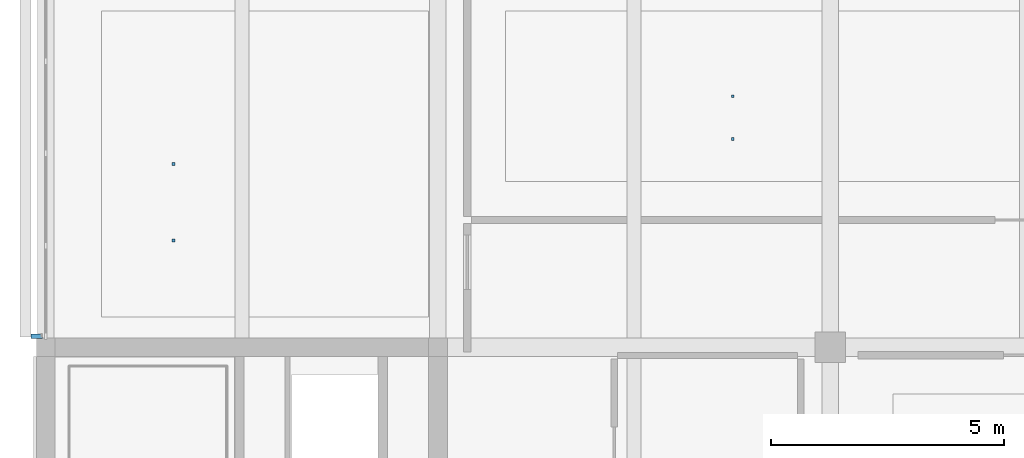
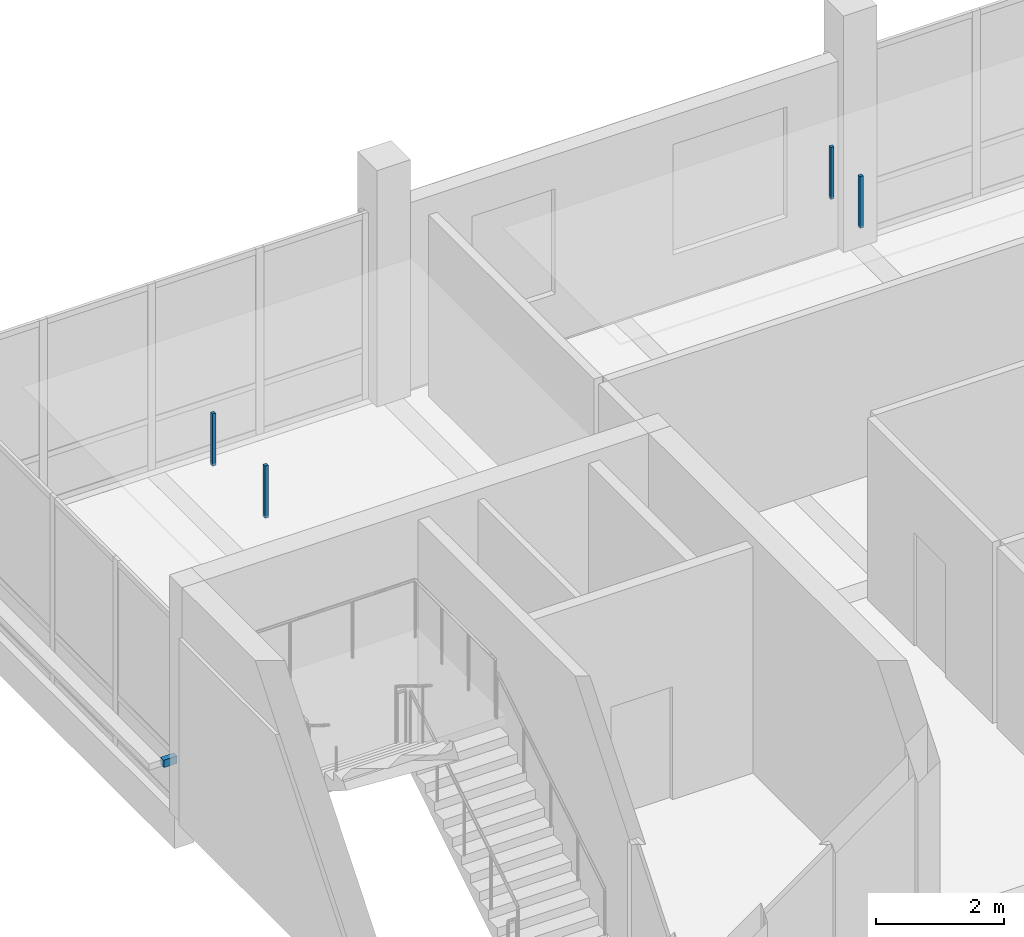
# One storey, part 16 of 29: 5 discrete accessories.
"""IFC4 building model written with IfcOpenShell, lengths in metres."""

import ifcopenshell
import ifcopenshell.guid

model = None  # the IFC model being written
_history = None  # IfcOwnerHistory: only IFC2X3 demands one
_inside = {}  # id of a spatial element -> (the spatial element, [elements in it])
_under = {}  # id of a project, library or spatial element -> (it, [spatial elements below it])
_declared = {}  # id of a project -> (the project, [libraries it declares])
_typed = {}  # id of a type object -> (the type object, [elements of that type])
_made_of = {}  # id of a material, layer set ... -> (it, [elements and type objects made of it])


def new_model(schema):
    """Start an empty IFC model of exactly this schema.

    Asked for "IFC4X3", IfcOpenShell would pick the latest addendum, in which some entities
    have other attributes; the version numbers below select the first issue.
    IFC2X3 requires an IfcOwnerHistory on every rooted entity: one is made here for all.
    """
    global model, _history
    if schema == "IFC4X3":
        model = ifcopenshell.file(schema_version=(4, 3, 0, 0))
    else:
        model = ifcopenshell.file(schema=schema)
    _inside.clear()
    _under.clear()
    _declared.clear()
    _typed.clear()
    _made_of.clear()
    _history = None
    if model.schema == "IFC2X3":
        org = make("IfcOrganization", Name="unknown")
        user = make(
            "IfcPersonAndOrganization",
            ThePerson=make("IfcPerson", FamilyName="unknown"),
            TheOrganization=org,
        )
        app = make(
            "IfcApplication",
            ApplicationDeveloper=org,
            Version="unknown",
            ApplicationFullName="unknown",
            ApplicationIdentifier="unknown",
        )
        _history = make(
            "IfcOwnerHistory",
            OwningUser=user,
            OwningApplication=app,
            ChangeAction="ADDED",
            CreationDate=0,
        )
    return model


def make(cls, **values):
    """One entity of the class cls with the attributes given. An attribute that is None is left unset."""
    return model.create_entity(
        cls, **{name: value for name, value in values.items() if value is not None}
    )


def rooted(cls, **values):
    """An entity with a GlobalId (a new one), such as an element, a storey or a relation."""
    return make(cls, GlobalId=ifcopenshell.guid.new(), OwnerHistory=_history, **values)


def si_unit(unit_type, name, prefix=None):
    """IfcSIUnit, for example si_unit("LENGTHUNIT", "METRE", prefix="MILLI")."""
    return make("IfcSIUnit", UnitType=unit_type, Prefix=prefix, Name=name)


def assignment(units):
    """IfcUnitAssignment: the units of a project."""
    return None if units is None else make("IfcUnitAssignment", Units=units)


def point(xyz):
    """IfcCartesianPoint."""
    return None if xyz is None else make("IfcCartesianPoint", Coordinates=xyz)


def direction(xyz):
    """IfcDirection."""
    return None if xyz is None else make("IfcDirection", DirectionRatios=xyz)


def frame(location, z_axis=None, x_axis=None):
    """IfcAxis2Placement3D, a coordinate frame: its origin and axes. An axis left out is left unset."""
    return make(
        "IfcAxis2Placement3D",
        Location=point(location),
        Axis=direction(z_axis),
        RefDirection=direction(x_axis),
    )


def frame_2d(location, x_axis=None):
    """IfcAxis2Placement2D, a coordinate frame in the plane: its origin and x axis."""
    return make(
        "IfcAxis2Placement2D", Location=point(location), RefDirection=direction(x_axis)
    )


def origin():
    """The frame at (0, 0, 0) with its axes left unset."""
    return frame((0.0, 0.0, 0.0))


def origin_2d():
    """The frame at (0, 0) in the plane with its x axis left unset."""
    return frame_2d((0.0, 0.0))


def place(relative_to, where):
    """IfcLocalPlacement: puts the frame where relative to a parent placement (None: the world)."""
    return make(
        "IfcLocalPlacement", PlacementRelTo=relative_to, RelativePlacement=where
    )


def context(
    kind, dimensions, precision=None, world=None, true_north=None, identifier=None
):
    """IfcGeometricRepresentationContext, for example the 3D "Model" context."""
    return make(
        "IfcGeometricRepresentationContext",
        ContextIdentifier=identifier,
        ContextType=kind,
        CoordinateSpaceDimension=dimensions,
        Precision=precision,
        WorldCoordinateSystem=world,
        TrueNorth=true_north,
    )


def subcontext(parent, identifier, kind, view, scale=None):
    """IfcGeometricRepresentationSubContext, for example "Body" below "Model"."""
    return make(
        "IfcGeometricRepresentationSubContext",
        ContextIdentifier=identifier,
        ContextType=kind,
        ParentContext=parent,
        TargetScale=scale,
        TargetView=view,
    )


def project(units=None, contexts=None):
    """IfcProject with its units and contexts."""
    return rooted(
        "IfcProject",
        Name="project",
        RepresentationContexts=contexts,
        UnitsInContext=assignment(units),
    )


def spatial(cls, under=None, at=None, **own):
    """A site, building, storey or space (cls), placed at a placement, below another one or the project."""
    s = rooted(cls, ObjectPlacement=at, **own)
    if under is not None:
        _under.setdefault(under.id(), (under, []))[1].append(s)
    return s


def profile(cls, at=None, kind="AREA", **sizes):
    """A parametric profile (cls). Its sizes go by their IFC names, for example OverallWidth=200.0."""
    return make(cls, ProfileType=kind, Position=at, **sizes)


def rectangle(**sizes):
    """IfcRectangleProfileDef."""
    return profile("IfcRectangleProfileDef", **sizes)


def extrude(swept, where, along, depth):
    """IfcExtrudedAreaSolid: the profile swept, set in the frame where, extruded along a direction by depth."""
    return make(
        "IfcExtrudedAreaSolid",
        SweptArea=swept,
        Position=where,
        ExtrudedDirection=direction(along),
        Depth=depth,
    )


def shape(context_of_items, identifier, shape_type, items):
    """IfcShapeRepresentation: the items that make up one representation, for example the "Body"."""
    return make(
        "IfcShapeRepresentation",
        ContextOfItems=context_of_items,
        RepresentationIdentifier=identifier,
        RepresentationType=shape_type,
        Items=items,
    )


def material(Name=None, Category=None):
    """IfcMaterial."""
    return make("IfcMaterial", Name=Name, Category=Category)


def made_of(thing, what):
    """Note that an element or type object is made of a material, layer set ...; save() writes the relation."""
    if what is not None:
        _made_of.setdefault(what.id(), (what, []))[1].append(thing)
    return thing


def type_object(cls, material=None, **own):
    """A type object (cls), such as IfcWallType, which elements share."""
    return made_of(rooted(cls, **own), material)


def element(
    cls,
    number,
    at=None,
    inside=None,
    cuts=None,
    type_object=None,
    material=None,
    context=None,
    identifier="Body",
    shape_type=None,
    held_by="IfcProductDefinitionShape",
    body=None,
    shapes=None,
    **own,
):
    """One element of the class cls, such as IfcWall. Its Tag is "e" and its number.

    at: its placement. inside: the storey or other place that contains it. cuts: it is an
    opening in that element (IfcRelVoidsElement). A single representation is given by context,
    identifier, shape_type and body (its items); several are given by shapes. held_by: the class
    of the entity that holds the representations. save() writes the other relations.
    """
    e = rooted(cls, Tag="e%d" % number, ObjectPlacement=at, **own)
    if body is not None:
        shapes = [shape(context, identifier, shape_type, body)]
    if shapes is not None:
        e.Representation = make(held_by, Representations=shapes)
    if inside is not None:
        _inside.setdefault(inside.id(), (inside, []))[1].append(e)
    if cuts is not None:
        rooted(
            "IfcRelVoidsElement", RelatingBuildingElement=cuts, RelatedOpeningElement=e
        )
    if type_object is not None:
        _typed.setdefault(type_object.id(), (type_object, []))[1].append(e)
    return made_of(e, material)


def aggregate(whole, parts):
    """IfcRelAggregates: a whole, such as a stair, and the parts it consists of."""
    return rooted("IfcRelAggregates", RelatingObject=whole, RelatedObjects=parts)


def save(model, path):
    """Write the relations noted so far, then the file.

    IfcRelAggregates (storeys below a building ...), IfcRelContainedInSpatialStructure (elements
    in a storey), IfcRelDefinesByType, IfcRelAssociatesMaterial and IfcRelDeclares: one each for
    every whole, place, type object, material and project.
    """
    for whole, parts in _under.values():
        aggregate(whole, parts)
    for where, things in _inside.values():
        rooted(
            "IfcRelContainedInSpatialStructure",
            RelatedElements=things,
            RelatingStructure=where,
        )
    for kind, things in _typed.values():
        rooted("IfcRelDefinesByType", RelatedObjects=things, RelatingType=kind)
    for what, things in _made_of.values():
        rooted("IfcRelAssociatesMaterial", RelatedObjects=things, RelatingMaterial=what)
    for by, libraries in _declared.values():
        rooted("IfcRelDeclares", RelatingContext=by, RelatedDefinitions=libraries)
    model.write(path)


model = new_model("IFC4")

# Units and contexts
model_context = context("Model", 3, precision=1e-05, world=origin(), true_north=direction((0.0, 1.0)))
body_context = subcontext(model_context, "Body", "Model", "MODEL_VIEW")
ifc_project = project(units=[si_unit("LENGTHUNIT", "METRE"), si_unit("AREAUNIT", "SQUARE_METRE"), si_unit("VOLUMEUNIT", "CUBIC_METRE"), si_unit("PLANEANGLEUNIT", "RADIAN"), si_unit("MASSUNIT", "GRAM", prefix="KILO")], contexts=[model_context])

# Site, building, storey
site_placement = place(None, origin())
site = spatial("IfcSite", under=ifc_project, at=site_placement, CompositionType="ELEMENT")
building_placement = place(site_placement, origin())
building = spatial("IfcBuilding", under=site, at=building_placement, Name="Telukmera Botanical Conservatory", CompositionType="ELEMENT")
storey_placement = place(building_placement, frame((0.0, 0.0, 55.5)))
storey = spatial("IfcBuildingStorey", under=building, at=storey_placement, Name="L12", CompositionType="ELEMENT", Elevation=55.5)

# Discrete accessories
ifc_material = material(Name="Steel S355", Category="steel")
discrete_accessory_type_1 = type_object("IfcDiscreteAccessoryType", Name="ACC-CEIL-HGR", PredefinedType="BRACKET", material=ifc_material)
for number, where, z_axis, x_axis, name in (
    (1, (61.5400390625, 36.6875, 3.31005859375), (0.0, 0.0, 1.0), (1.0, 0.0, 0.0), "L12 Suspended Ceiling Hanger Rod 030-1"),
    (2, (61.5400390625, 38.324951171875, 3.31005859375), (0.0, 0.0, 1.0), (1.0, 0.0, 0.0), "L12 Suspended Ceiling Hanger Rod 030-2"),
):
    element("IfcDiscreteAccessory", number, at=place(storey_placement, frame(where, z_axis=z_axis, x_axis=x_axis)), inside=storey, type_object=discrete_accessory_type_1, Name=name, PredefinedType="BRACKET", context=body_context, shape_type="SweptSolid", body=[
        extrude(rectangle(XDim=0.06005859375, YDim=0.06005859375, at=origin_2d()), origin(), (0.0, 0.0, 1.0), 0.9951171875),
    ])
for number, where, z_axis, x_axis, name in (
    (3, (73.511962890625, 38.862548828125, 3.31982421875), (0.0, 0.0, 1.0), (1.0, 0.0, 0.0), "L12 Suspended Ceiling Hanger Rod 031-1"),
    (4, (73.511962890625, 39.77490234375, 3.31982421875), (0.0, 0.0, 1.0), (1.0, 0.0, 0.0), "L12 Suspended Ceiling Hanger Rod 031-2"),
):
    element("IfcDiscreteAccessory", number, at=place(storey_placement, frame(where, z_axis=z_axis, x_axis=x_axis)), inside=storey, type_object=discrete_accessory_type_1, Name=name, PredefinedType="BRACKET", context=body_context, shape_type="SweptSolid", body=[
        extrude(rectangle(XDim=0.06005859375, YDim=0.06005859375, at=origin_2d()), origin(), (0.0, 0.0, 1.0), 0.985107421875),
    ])
discrete_accessory_type_2 = type_object("IfcDiscreteAccessoryType", Name="Structural Steel Facade Outrigger Fin Bracket", PredefinedType="BRACKET", material=ifc_material)
discrete_accessory_placement = place(storey_placement, frame((58.610107421875, 34.632080078125, 0.8798828125), z_axis=(0.0, 0.0, 1.0), x_axis=(0.0, 1.0, 0.0)))
element("IfcDiscreteAccessory", 5, at=discrete_accessory_placement, inside=storey, type_object=discrete_accessory_type_2, Name="Facade Outrigger Bracket V4:L12:W4 A", PredefinedType="BRACKET", context=body_context, shape_type="SweptSolid", body=[
    extrude(rectangle(XDim=0.10009765625, YDim=0.239990234375, at=origin_2d()), origin(), (0.0, 0.0, 1.0), 0.139892578125),
])

save(model, "model.ifc")
